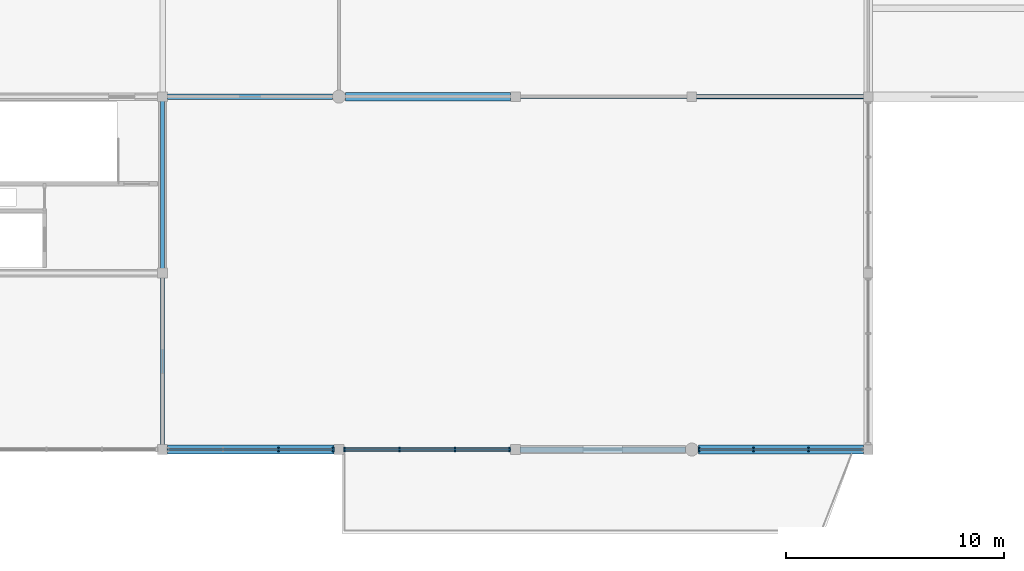
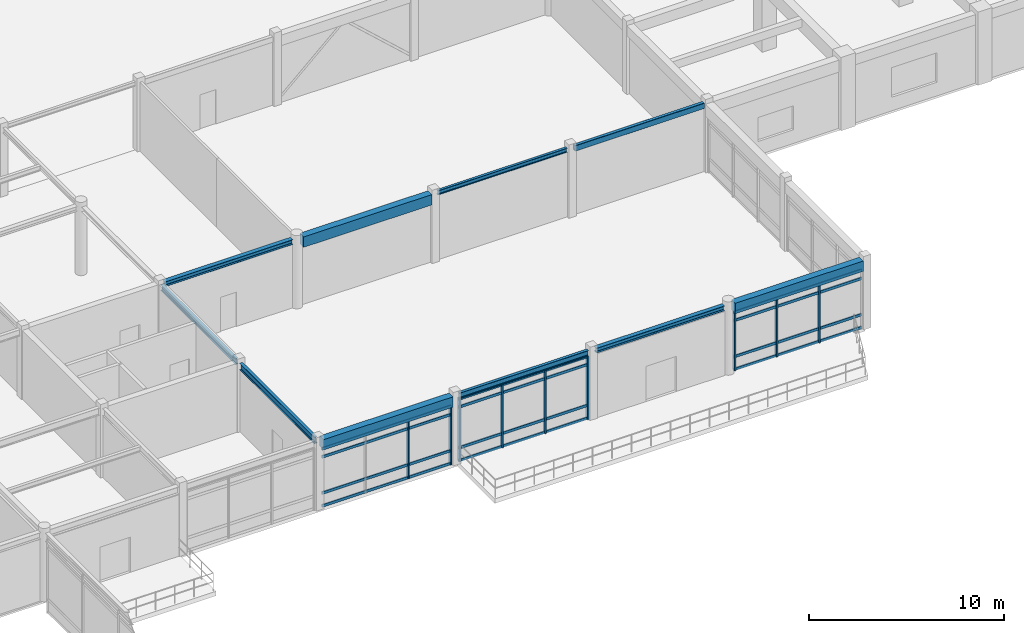
# One storey, part 22 of 93: 21 members, 10 beams, 3 elements without a shape of their own.
"""IFC4 building model written with IfcOpenShell, lengths in metres."""

from ifc_helpers import new_model, si_unit, direction, frame, origin, origin_2d, place, context, subcontext, project, spatial, rectangle, hollow_rectangle, i_section, extrude, material, layer, layer_set, material_profile, profile_set, type_object, element, aggregate, save


model = new_model("IFC4")

# Units and contexts
model_context = context("Model", 3, precision=1e-05, world=origin(), true_north=direction((0.0, 1.0)))
body_context = subcontext(model_context, "Body", "Model", "MODEL_VIEW")
ifc_project = project(units=[si_unit("LENGTHUNIT", "METRE"), si_unit("AREAUNIT", "SQUARE_METRE"), si_unit("VOLUMEUNIT", "CUBIC_METRE"), si_unit("PLANEANGLEUNIT", "RADIAN"), si_unit("MASSUNIT", "GRAM", prefix="KILO")], contexts=[model_context])

# Site, building, storey
site_placement = place(None, origin())
site = spatial("IfcSite", under=ifc_project, at=site_placement, CompositionType="ELEMENT")
building_placement = place(site_placement, origin())
building = spatial("IfcBuilding", under=site, at=building_placement, Name="Vaudrelin Polytechnic", CompositionType="ELEMENT")
storey_placement = place(building_placement, frame((0.0, 0.0, 5.10009765625)))
storey = spatial("IfcBuildingStorey", under=building, at=storey_placement, Name="L01", CompositionType="ELEMENT", Elevation=5.10009765625)

# Beams
ifc_material_1 = material(Name="Steel CSA G40.21 350W", Category="steel")
ifc_material_profile_1 = material_profile(ifc_material_1, i_section(OverallWidth=0.178955078125, OverallDepth=0.409912109375, WebThickness=0.0087890625, FlangeThickness=0.014404296875, FilletRadius=0.01611328125, at=origin_2d()), Name="W410x67")
ifc_profile_set_1 = profile_set([ifc_material_profile_1], Name="Steel CSA G40.21 350W")
beam_type_1 = type_object("IfcBeamType", Name="BM-BM-W410", PredefinedType="BEAM", material=ifc_profile_set_1)
beam_1_placement = place(storey_placement, frame((97.199951171875, 0.2099609375, 4.10498046875), z_axis=(0.0, 1.0, 0.0), x_axis=(-1.0, 0.0, 0.0)))
element("IfcBeam", 1, at=beam_1_placement, inside=storey, type_object=beam_type_1, Name="L01 Y-beam 13-1", PredefinedType="BEAM", context=body_context, shape_type="SweptSolid", body=[
    extrude(i_section(OverallWidth=0.178955078125, OverallDepth=0.409912109375, WebThickness=0.0087890625, FlangeThickness=0.014404296875, FilletRadius=0.01611328125, at=origin_2d()), origin(), (0.0, 0.0, 1.0), 7.679931640625),
])
ifc_material_profile_2 = material_profile(ifc_material_1, i_section(OverallWidth=0.14794921875, OverallDepth=0.26611328125, WebThickness=0.007568359375, FlangeThickness=0.012939453125, FilletRadius=0.012939453125, at=origin_2d()), Name="W250x45")
ifc_profile_set_2 = profile_set([ifc_material_profile_2], Name="Steel CSA G40.21 350W")
beam_type_2 = type_object("IfcBeamType", Name="BM-JS-W250", PredefinedType="JOIST", material=ifc_profile_set_2)
beam_2_placement = place(storey_placement, frame((113.62109375, 16.199951171875, 4.177001953125), z_axis=(1.0, 0.0, 0.0), x_axis=(0.0, 1.0, 0.0)))
element("IfcBeam", 2, at=beam_2_placement, inside=storey, type_object=beam_type_2, Name="L01 X-beam 15-3", PredefinedType="JOIST", context=body_context, shape_type="SweptSolid", body=[
    extrude(i_section(OverallWidth=0.14794921875, OverallDepth=0.26611328125, WebThickness=0.007568359375, FlangeThickness=0.012939453125, FilletRadius=0.012939453125, at=origin_2d()), origin(), (0.0, 0.0, 1.0), 7.657958984375),
])
ifc_material_2 = material(Name="Steel CSA G40.21 350WT", Category="steel")
ifc_material_profile_3 = material_profile(ifc_material_2, i_section(OverallWidth=0.25390625, OverallDepth=0.305908203125, WebThickness=0.0087890625, FlangeThickness=0.0146484375, FilletRadius=0.01611328125, at=origin_2d()), Name="W310x79")
ifc_profile_set_3 = profile_set([ifc_material_profile_3], Name="Steel CSA G40.21 350WT")
beam_type_3 = type_object("IfcBeamType", Name="BM-JS-W310H", PredefinedType="SPANDREL", material=ifc_profile_set_3)
for number, where, z_axis, x_axis, name in (
    (3, (97.4208984375, 16.199951171875, 4.156982421875), (1.0, 0.0, 0.0), (0.0, 1.0, 0.0), "L01 X-beam 13-3"),
    (4, (113.62109375, 0.0, 4.156982421875), (1.0, 0.0, 0.0), (0.0, 1.0, 0.0), "L01 X-beam 15-1"),
):
    element("IfcBeam", number, at=place(storey_placement, frame(where, z_axis=z_axis, x_axis=x_axis)), inside=storey, type_object=beam_type_3, Name=name, PredefinedType="SPANDREL", context=body_context, shape_type="SweptSolid", body=[
        extrude(i_section(OverallWidth=0.25390625, OverallDepth=0.305908203125, WebThickness=0.0087890625, FlangeThickness=0.0146484375, FilletRadius=0.01611328125, at=origin_2d()), origin(), (0.0, 0.0, 1.0), 7.5830078125),
    ])
ifc_material_profile_4 = material_profile(ifc_material_1, i_section(OverallWidth=0.172119140625, OverallDepth=0.35791015625, WebThickness=0.0078125, FlangeThickness=0.01318359375, FilletRadius=0.014892578125, at=origin_2d()), Name="W360x57")
ifc_profile_set_4 = profile_set([ifc_material_profile_4], Name="Steel CSA G40.21 350W")
beam_type_4 = type_object("IfcBeamType", Name="BM-JS-W360", PredefinedType="JOIST", material=ifc_profile_set_4)
beam_3_placement = place(storey_placement, frame((97.199951171875, 8.31005859375, 4.130859375), z_axis=(0.0, 1.0, 0.0), x_axis=(-1.0, 0.0, 0.0)))
element("IfcBeam", 5, at=beam_3_placement, inside=storey, type_object=beam_type_4, Name="L01 Y-beam 13-2", PredefinedType="JOIST", context=body_context, shape_type="SweptSolid", body=[
    extrude(i_section(OverallWidth=0.172119140625, OverallDepth=0.35791015625, WebThickness=0.0078125, FlangeThickness=0.01318359375, FilletRadius=0.014892578125, at=origin_2d()), origin(), (0.0, 0.0, 1.0), 7.679931640625),
])
beam_4_placement = place(storey_placement, frame((105.52099609375, 0.0, 4.130859375), z_axis=(1.0, 0.0, 0.0), x_axis=(0.0, 1.0, 0.0)))
element("IfcBeam", 6, at=beam_4_placement, inside=storey, type_object=beam_type_4, Name="L01 X-beam 14-1", PredefinedType="JOIST", context=body_context, shape_type="SweptSolid", body=[
    extrude(i_section(OverallWidth=0.172119140625, OverallDepth=0.35791015625, WebThickness=0.0078125, FlangeThickness=0.01318359375, FilletRadius=0.014892578125, at=origin_2d()), origin(), (0.0, 0.0, 1.0), 7.657958984375),
])
ifc_material_profile_5 = material_profile(ifc_material_2, hollow_rectangle(XDim=0.202880859375, YDim=0.35595703125, WallThickness=0.0126953125, InnerFilletRadius=0.0126953125, OuterFilletRadius=0.025390625, at=origin_2d()), Name="HSS356x203x12.7")
ifc_profile_set_5 = profile_set([ifc_material_profile_5], Name="Steel CSA G40.21 350WT")
beam_type_5 = type_object("IfcBeamType", Name="BM-SP-HSS35", PredefinedType="SPANDREL", material=ifc_profile_set_5)
beam_5_placement = place(storey_placement, frame((121.720947265625, 16.199951171875, 4.1318359375), z_axis=(1.0, 0.0, 0.0), x_axis=(0.0, 1.0, 0.0)))
element("IfcBeam", 7, at=beam_5_placement, inside=storey, type_object=beam_type_5, Name="L01 X-beam 16-3", PredefinedType="SPANDREL", context=body_context, shape_type="SweptSolid", body=[
    extrude(hollow_rectangle(XDim=0.202880859375, YDim=0.35595703125, WallThickness=0.0126953125, InnerFilletRadius=0.0126953125, OuterFilletRadius=0.025390625, at=origin_2d()), origin(), (0.0, 0.0, 1.0), 7.657958984375),
])
ifc_material_3 = material(Name="Concrete 40 MPa", Category="concrete")
ifc_material_profile_6 = material_profile(ifc_material_3, rectangle(XDim=0.39990234375, YDim=0.64990234375, at=origin_2d()), Name="RC400x650")
ifc_profile_set_6 = profile_set([ifc_material_profile_6], Name="Concrete 40 MPa")
beam_type_6 = type_object("IfcBeamType", Name="BM-SP-RC4065", PredefinedType="SPANDREL", material=ifc_profile_set_6)
beam_6_placement = place(storey_placement, frame((97.4208984375, 0.0, 3.98486328125), z_axis=(1.0, 0.0, 0.0), x_axis=(0.0, 1.0, 0.0)))
element("IfcBeam", 8, at=beam_6_placement, inside=storey, type_object=beam_type_6, Name="L01 X-beam 13-1", PredefinedType="SPANDREL", context=body_context, shape_type="SweptSolid", body=[
    extrude(rectangle(XDim=0.39990234375, YDim=0.64990234375, at=origin_2d()), origin(), (0.0, 0.0, 1.0), 7.658203125),
])
for number, where, z_axis, x_axis, name in (
    (9, (105.595947265625, 16.199951171875, 3.98486328125), (1.0, 0.0, 0.0), (0.0, 1.0, 0.0), "L01 X-beam 14-3"),
    (10, (121.7958984375, 0.0, 3.98486328125), (1.0, 0.0, 0.0), (0.0, 1.0, 0.0), "L01 X-beam 16-1"),
):
    element("IfcBeam", number, at=place(storey_placement, frame(where, z_axis=z_axis, x_axis=x_axis)), inside=storey, type_object=beam_type_6, Name=name, PredefinedType="SPANDREL", context=body_context, shape_type="SweptSolid", body=[
        extrude(rectangle(XDim=0.39990234375, YDim=0.64990234375, at=origin_2d()), origin(), (0.0, 0.0, 1.0), 7.5830078125),
    ])

# Curtain wall, members
ifc_material_4 = material(Name="Thermally broken anodised aluminium AA 6063-T6 and low-e triple glazing", Category="aluminium")
ifc_layer_1 = layer(ifc_material_4, 0.199951171875)
ifc_layer_set_1 = layer_set([ifc_layer_1], Name="Thermally broken anodised aluminium AA 6063-T6 and low-e triple glazing")
curtain_wall_type_1 = type_object("IfcCurtainWallType", Name="CW-CW-POR", PredefinedType="USERDEFINED", material=ifc_layer_set_1)
curtain_wall_1_placement = place(storey_placement, origin())
curtain_wall_1 = element("IfcCurtainWall", 11, at=curtain_wall_1_placement, inside=storey, type_object=curtain_wall_type_1, Name="Curtain wall L01 S_V3_02", ObjectType="CURTAIN WALL", PredefinedType="USERDEFINED")
ifc_material_5 = material(Name="Anodised aluminium AA 6063-T6", Category="aluminium")
ifc_material_profile_7 = material_profile(ifc_material_5, rectangle(XDim=0.074951171875, YDim=0.219970703125, at=origin_2d()), Name="CWM-75x220")
ifc_profile_set_7 = profile_set([ifc_material_profile_7], Name="Anodised aluminium AA 6063-T6")
member_type_1 = type_object("IfcMemberType", Name="MEM-CWM-220", PredefinedType="MULLION", material=ifc_profile_set_7)
member_1_placement = place(storey_placement, frame((102.525634765625, 0.0, 0.0), z_axis=(0.0, 0.0, 1.0), x_axis=(1.0, 0.0, 0.0)))
member_1 = element("IfcMember", 12, at=member_1_placement, type_object=member_type_1, Name="S_V3_02 mullion 3", PredefinedType="MULLION", context=body_context, shape_type="SweptSolid", body=[
    extrude(rectangle(XDim=0.074951171875, YDim=0.219970703125, at=origin_2d()), origin(), (0.0, 0.0, 1.0), 3.661865234375),
])
member_2_placement = place(storey_placement, frame((105.037109375, 0.0, 0.0), z_axis=(0.0, 0.0, 1.0), x_axis=(1.0, 0.0, 0.0)))
member_2 = element("IfcMember", 13, at=member_2_placement, type_object=member_type_1, Name="S_V3_02 mullion 4", PredefinedType="MULLION", context=body_context, shape_type="SweptSolid", body=[
    extrude(rectangle(XDim=0.074951171875, YDim=0.219970703125, at=origin_2d()), origin(), (0.0, 0.0, 1.0), 3.661865234375),
])

ifc_layer_2 = layer(ifc_material_4, 0.199951171875)
ifc_layer_set_2 = layer_set([ifc_layer_2], Name="Thermally broken anodised aluminium AA 6063-T6 and low-e triple glazing")
curtain_wall_type_2 = type_object("IfcCurtainWallType", Name="CW-CW-WG", PredefinedType="USERDEFINED", material=ifc_layer_set_2)
curtain_wall_2_placement = place(storey_placement, origin())
curtain_wall_2 = element("IfcCurtainWall", 14, at=curtain_wall_2_placement, inside=storey, type_object=curtain_wall_type_2, Name="Curtain wall L01 S_V3_03", ObjectType="CURTAIN WALL", PredefinedType="USERDEFINED")
member_3_placement = place(storey_placement, frame((105.56298828125, 0.0, 0.0), z_axis=(0.0, 0.0, 1.0), x_axis=(1.0, 0.0, 0.0)))
member_3 = element("IfcMember", 15, at=member_3_placement, type_object=member_type_1, Name="S_V3_03 mullion 1", PredefinedType="MULLION", context=body_context, shape_type="SweptSolid", body=[
    extrude(rectangle(XDim=0.074951171875, YDim=0.219970703125, at=origin_2d()), origin(), (0.0, 0.0, 1.0), 3.953857421875),
])
member_4_placement = place(storey_placement, frame((108.07421875, 0.0, 0.0), z_axis=(0.0, 0.0, 1.0), x_axis=(1.0, 0.0, 0.0)))
member_4 = element("IfcMember", 16, at=member_4_placement, type_object=member_type_1, Name="S_V3_03 mullion 2", PredefinedType="MULLION", context=body_context, shape_type="SweptSolid", body=[
    extrude(rectangle(XDim=0.074951171875, YDim=0.219970703125, at=origin_2d()), origin(), (0.0, 0.0, 1.0), 3.953857421875),
])
member_5_placement = place(storey_placement, frame((110.625732421875, 0.0, 0.0), z_axis=(0.0, 0.0, 1.0), x_axis=(1.0, 0.0, 0.0)))
member_5 = element("IfcMember", 17, at=member_5_placement, type_object=member_type_1, Name="S_V3_03 mullion 3", PredefinedType="MULLION", context=body_context, shape_type="SweptSolid", body=[
    extrude(rectangle(XDim=0.074951171875, YDim=0.219970703125, at=origin_2d()), origin(), (0.0, 0.0, 1.0), 3.953857421875),
])
member_6_placement = place(storey_placement, frame((113.136962890625, 0.0, 0.0), z_axis=(0.0, 0.0, 1.0), x_axis=(1.0, 0.0, 0.0)))
member_6 = element("IfcMember", 18, at=member_6_placement, type_object=member_type_1, Name="S_V3_03 mullion 4", PredefinedType="MULLION", context=body_context, shape_type="SweptSolid", body=[
    extrude(rectangle(XDim=0.074951171875, YDim=0.219970703125, at=origin_2d()), origin(), (0.0, 0.0, 1.0), 3.953857421875),
])

curtain_wall_3_placement = place(storey_placement, origin())
curtain_wall_3 = element("IfcCurtainWall", 19, at=curtain_wall_3_placement, inside=storey, type_object=curtain_wall_type_2, Name="Curtain wall L01 S_V3_05", ObjectType="CURTAIN WALL", PredefinedType="USERDEFINED")
member_7_placement = place(storey_placement, frame((121.837890625, 0.0, 0.0), z_axis=(0.0, 0.0, 1.0), x_axis=(1.0, 0.0, 0.0)))
member_7 = element("IfcMember", 20, at=member_7_placement, type_object=member_type_1, Name="S_V3_05 mullion 1", PredefinedType="MULLION", context=body_context, shape_type="SweptSolid", body=[
    extrude(rectangle(XDim=0.074951171875, YDim=0.219970703125, at=origin_2d()), origin(), (0.0, 0.0, 1.0), 3.661865234375),
])
member_8_placement = place(storey_placement, frame((124.32421875, 0.0, 0.0), z_axis=(0.0, 0.0, 1.0), x_axis=(1.0, 0.0, 0.0)))
member_8 = element("IfcMember", 21, at=member_8_placement, type_object=member_type_1, Name="S_V3_05 mullion 2", PredefinedType="MULLION", context=body_context, shape_type="SweptSolid", body=[
    extrude(rectangle(XDim=0.074951171875, YDim=0.219970703125, at=origin_2d()), origin(), (0.0, 0.0, 1.0), 3.661865234375),
])
member_9_placement = place(storey_placement, frame((126.8505859375, 0.0, 0.0), z_axis=(0.0, 0.0, 1.0), x_axis=(1.0, 0.0, 0.0)))
member_9 = element("IfcMember", 22, at=member_9_placement, type_object=member_type_1, Name="S_V3_05 mullion 3", PredefinedType="MULLION", context=body_context, shape_type="SweptSolid", body=[
    extrude(rectangle(XDim=0.074951171875, YDim=0.219970703125, at=origin_2d()), origin(), (0.0, 0.0, 1.0), 3.661865234375),
])

# Member
ifc_material_profile_8 = material_profile(ifc_material_5, rectangle(XDim=0.074951171875, YDim=0.1650390625, at=origin_2d()), Name="CWT-75x165")
ifc_profile_set_8 = profile_set([ifc_material_profile_8], Name="Anodised aluminium AA 6063-T6")
member_type_2 = type_object("IfcMemberType", Name="MEM-CWT-165", PredefinedType="USERDEFINED", material=ifc_profile_set_8)
member_10_placement = place(storey_placement, frame((97.423095703125, 0.0, 0.0498046875), z_axis=(1.0, 0.0, 0.0), x_axis=(0.0, 1.0, 0.0)))
member_10 = element("IfcMember", 23, at=member_10_placement, type_object=member_type_2, Name="S_V3_02 transom 1", ObjectType="TRANSOM", PredefinedType="USERDEFINED", context=body_context, shape_type="SweptSolid", body=[
    extrude(rectangle(XDim=0.074951171875, YDim=0.1650390625, at=origin_2d()), origin(), (0.0, 0.0, 1.0), 7.65380859375),
])

member_11_placement = place(storey_placement, frame((97.423095703125, 0.0, 0.849853515625), z_axis=(1.0, 0.0, 0.0), x_axis=(0.0, 1.0, 0.0)))
member_11 = element("IfcMember", 24, at=member_11_placement, type_object=member_type_2, Name="S_V3_02 transom 2", ObjectType="TRANSOM", PredefinedType="USERDEFINED", context=body_context, shape_type="SweptSolid", body=[
    extrude(rectangle(XDim=0.074951171875, YDim=0.1650390625, at=origin_2d()), origin(), (0.0, 0.0, 1.0), 7.65380859375),
])

member_12_placement = place(storey_placement, frame((97.423095703125, 0.0, 3.11181640625), z_axis=(1.0, 0.0, 0.0), x_axis=(0.0, 1.0, 0.0)))
member_12 = element("IfcMember", 25, at=member_12_placement, type_object=member_type_2, Name="S_V3_02 transom 3", ObjectType="TRANSOM", PredefinedType="USERDEFINED", context=body_context, shape_type="SweptSolid", body=[
    extrude(rectangle(XDim=0.074951171875, YDim=0.1650390625, at=origin_2d()), origin(), (0.0, 0.0, 1.0), 7.65380859375),
])

member_13_placement = place(storey_placement, frame((97.423095703125, 0.0, 3.61181640625), z_axis=(1.0, 0.0, 0.0), x_axis=(0.0, 1.0, 0.0)))
member_13 = element("IfcMember", 26, at=member_13_placement, type_object=member_type_2, Name="S_V3_02 transom 4", ObjectType="TRANSOM", PredefinedType="USERDEFINED", context=body_context, shape_type="SweptSolid", body=[
    extrude(rectangle(XDim=0.074951171875, YDim=0.1650390625, at=origin_2d()), origin(), (0.0, 0.0, 1.0), 7.65380859375),
])

aggregate(curtain_wall_1, [member_1, member_2, member_10, member_11, member_12, member_13])

member_14_placement = place(storey_placement, frame((105.52294921875, 0.0, 0.0498046875), z_axis=(1.0, 0.0, 0.0), x_axis=(0.0, 1.0, 0.0)))
member_14 = element("IfcMember", 27, at=member_14_placement, type_object=member_type_2, Name="S_V3_03 transom 1", ObjectType="TRANSOM", PredefinedType="USERDEFINED", context=body_context, shape_type="SweptSolid", body=[
    extrude(rectangle(XDim=0.074951171875, YDim=0.1650390625, at=origin_2d()), origin(), (0.0, 0.0, 1.0), 7.654052734375),
])

member_15_placement = place(storey_placement, frame((105.52294921875, 0.0, 0.849853515625), z_axis=(1.0, 0.0, 0.0), x_axis=(0.0, 1.0, 0.0)))
member_15 = element("IfcMember", 28, at=member_15_placement, type_object=member_type_2, Name="S_V3_03 transom 2", ObjectType="TRANSOM", PredefinedType="USERDEFINED", context=body_context, shape_type="SweptSolid", body=[
    extrude(rectangle(XDim=0.074951171875, YDim=0.1650390625, at=origin_2d()), origin(), (0.0, 0.0, 1.0), 7.654052734375),
])

member_16_placement = place(storey_placement, frame((105.52294921875, 0.0, 3.40380859375), z_axis=(1.0, 0.0, 0.0), x_axis=(0.0, 1.0, 0.0)))
member_16 = element("IfcMember", 29, at=member_16_placement, type_object=member_type_2, Name="S_V3_03 transom 3", ObjectType="TRANSOM", PredefinedType="USERDEFINED", context=body_context, shape_type="SweptSolid", body=[
    extrude(rectangle(XDim=0.074951171875, YDim=0.1650390625, at=origin_2d()), origin(), (0.0, 0.0, 1.0), 7.654052734375),
])

member_17_placement = place(storey_placement, frame((105.52294921875, 0.0, 3.90380859375), z_axis=(1.0, 0.0, 0.0), x_axis=(0.0, 1.0, 0.0)))
member_17 = element("IfcMember", 30, at=member_17_placement, type_object=member_type_2, Name="S_V3_03 transom 4", ObjectType="TRANSOM", PredefinedType="USERDEFINED", context=body_context, shape_type="SweptSolid", body=[
    extrude(rectangle(XDim=0.074951171875, YDim=0.1650390625, at=origin_2d()), origin(), (0.0, 0.0, 1.0), 7.654052734375),
])

aggregate(curtain_wall_2, [member_3, member_4, member_5, member_6, member_14, member_15, member_16, member_17])

member_18_placement = place(storey_placement, frame((121.798095703125, 0.0, 0.0498046875), z_axis=(1.0, 0.0, 0.0), x_axis=(0.0, 1.0, 0.0)))
member_18 = element("IfcMember", 31, at=member_18_placement, type_object=member_type_2, Name="S_V3_05 transom 1", ObjectType="TRANSOM", PredefinedType="USERDEFINED", context=body_context, shape_type="SweptSolid", body=[
    extrude(rectangle(XDim=0.074951171875, YDim=0.1650390625, at=origin_2d()), origin(), (0.0, 0.0, 1.0), 7.578857421875),
])

member_19_placement = place(storey_placement, frame((121.798095703125, 0.0, 0.849853515625), z_axis=(1.0, 0.0, 0.0), x_axis=(0.0, 1.0, 0.0)))
member_19 = element("IfcMember", 32, at=member_19_placement, type_object=member_type_2, Name="S_V3_05 transom 2", ObjectType="TRANSOM", PredefinedType="USERDEFINED", context=body_context, shape_type="SweptSolid", body=[
    extrude(rectangle(XDim=0.074951171875, YDim=0.1650390625, at=origin_2d()), origin(), (0.0, 0.0, 1.0), 7.578857421875),
])

member_20_placement = place(storey_placement, frame((121.798095703125, 0.0, 3.11181640625), z_axis=(1.0, 0.0, 0.0), x_axis=(0.0, 1.0, 0.0)))
member_20 = element("IfcMember", 33, at=member_20_placement, type_object=member_type_2, Name="S_V3_05 transom 3", ObjectType="TRANSOM", PredefinedType="USERDEFINED", context=body_context, shape_type="SweptSolid", body=[
    extrude(rectangle(XDim=0.074951171875, YDim=0.1650390625, at=origin_2d()), origin(), (0.0, 0.0, 1.0), 7.578857421875),
])

member_21_placement = place(storey_placement, frame((121.798095703125, 0.0, 3.61181640625), z_axis=(1.0, 0.0, 0.0), x_axis=(0.0, 1.0, 0.0)))
member_21 = element("IfcMember", 34, at=member_21_placement, type_object=member_type_2, Name="S_V3_05 transom 4", ObjectType="TRANSOM", PredefinedType="USERDEFINED", context=body_context, shape_type="SweptSolid", body=[
    extrude(rectangle(XDim=0.074951171875, YDim=0.1650390625, at=origin_2d()), origin(), (0.0, 0.0, 1.0), 7.578857421875),
])

aggregate(curtain_wall_3, [member_7, member_8, member_9, member_18, member_19, member_20, member_21])

save(model, "model.ifc")
